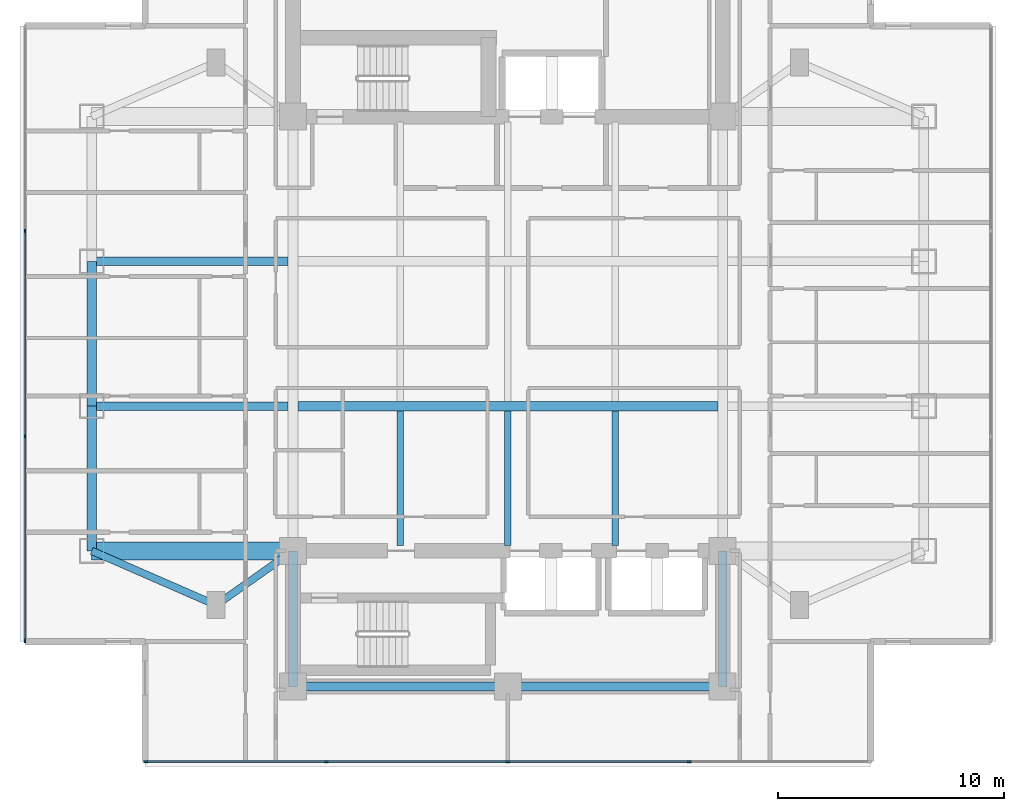
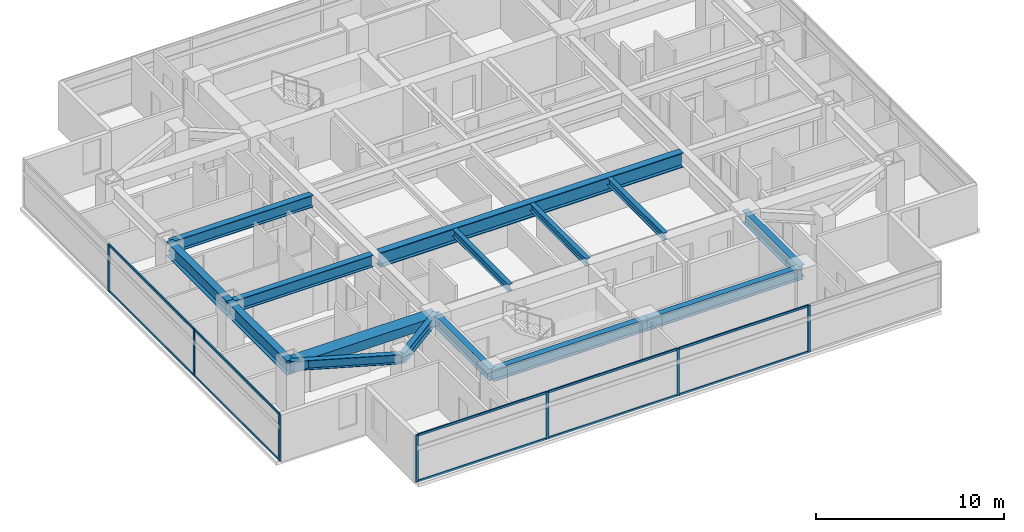
# One storey, part 2 of 24: 17 members, 15 beams, 2 elements without a shape of their own.
"""IFC4 building model written with IfcOpenShell, lengths in metres."""

from ifc_helpers import new_model, si_unit, direction, frame, origin, origin_2d, place, context, subcontext, project, spatial, rectangle, i_section, extrude, material, material_profile, profile_set, type_object, element, aggregate, save


model = new_model("IFC4")

# Units and contexts
model_context = context("Model", 3, precision=1e-05, world=origin(), true_north=direction((0.0, 1.0)))
body_context = subcontext(model_context, "Body", "Model", "MODEL_VIEW")
ifc_project = project(units=[si_unit("LENGTHUNIT", "METRE"), si_unit("AREAUNIT", "SQUARE_METRE"), si_unit("VOLUMEUNIT", "CUBIC_METRE"), si_unit("PLANEANGLEUNIT", "RADIAN"), si_unit("MASSUNIT", "GRAM", prefix="KILO")], contexts=[model_context])

# Site, building, storey
site_placement = place(None, origin())
site = spatial("IfcSite", under=ifc_project, at=site_placement, CompositionType="ELEMENT")
building_placement = place(site_placement, origin())
building = spatial("IfcBuilding", under=site, at=building_placement, Name="Mirazonda Arch Towers", CompositionType="ELEMENT")
storey_placement = place(building_placement, frame((0.0, 0.0, 101.60009765625)))
storey = spatial("IfcBuildingStorey", under=building, at=storey_placement, Name="L28", CompositionType="ELEMENT", Elevation=101.60009765625)

# Beams
ifc_material_1 = material(Name="Steel ASTM A992 Grade 50", Category="steel")
ifc_material_profile_1 = material_profile(ifc_material_1, i_section(OverallWidth=0.41796875, OverallDepth=0.927001953125, WebThickness=0.019287109375, FlangeThickness=0.031982421875, at=origin_2d()), Name="W36X231")
ifc_profile_set_1 = profile_set([ifc_material_profile_1], Name="Steel ASTM A992 Grade 50")
beam_type_1 = type_object("IfcBeamType", Name="BM-EXT-W36X231", PredefinedType="USERDEFINED", material=ifc_profile_set_1)
beam_1_placement = place(storey_placement, frame((2.10009765625, 18.39990234375, 2.616455078125), z_axis=(0.0, 1.0, 0.0), x_axis=(-1.0, 0.0, 0.0)))
element("IfcBeam", 1, at=beam_1_placement, inside=storey, type_object=beam_type_1, Name="L28 Floor Beam BM-T1-L28-NS-W-18", ObjectType="GIRDER", PredefinedType="USERDEFINED", context=body_context, shape_type="SweptSolid", body=[
    extrude(i_section(OverallWidth=0.41796875, OverallDepth=0.927001953125, WebThickness=0.019287109375, FlangeThickness=0.031982421875, at=origin_2d()), origin(), (0.0, 0.0, 1.0), 6.400146484375),
])
beam_2_placement = place(storey_placement, frame((2.10009765625, 24.800048828125, 2.616455078125), z_axis=(0.0, 1.0, 0.0), x_axis=(-1.0, 0.0, 0.0)))
element("IfcBeam", 2, at=beam_2_placement, inside=storey, type_object=beam_type_1, Name="L28 Floor Beam BM-T1-L28-NS-W-24", ObjectType="GIRDER", PredefinedType="USERDEFINED", context=body_context, shape_type="SweptSolid", body=[
    extrude(i_section(OverallWidth=0.41796875, OverallDepth=0.927001953125, WebThickness=0.019287109375, FlangeThickness=0.031982421875, at=origin_2d()), origin(), (0.0, 0.0, 1.0), 6.39990234375),
])
ifc_material_profile_2 = material_profile(ifc_material_1, i_section(OverallWidth=0.280029296875, OverallDepth=0.462890625, WebThickness=0.0107421875, FlangeThickness=0.017333984375, at=origin_2d()), Name="W18X76")
ifc_profile_set_2 = profile_set([ifc_material_profile_2], Name="Steel ASTM A992 Grade 50")
beam_type_2 = type_object("IfcBeamType", Name="BM-INT-W18X76", PredefinedType="JOIST", material=ifc_profile_set_2)
for number, where, z_axis, x_axis, name in (
    (3, (15.75, 18.639892578125, 2.848388671875), (0.0, 1.0, 0.0), (-1.0, 0.0, 0.0), "L28 Floor Beam BM-T1-L28-J-157-18"),
    (4, (20.5, 18.639892578125, 2.848388671875), (0.0, 1.0, 0.0), (-1.0, 0.0, 0.0), "L28 Floor Beam BM-T1-L28-J-205-18"),
    (5, (25.25, 18.639892578125, 2.848388671875), (0.0, 1.0, 0.0), (-1.0, 0.0, 0.0), "L28 Floor Beam BM-T1-L28-J-252-18"),
):
    element("IfcBeam", number, at=place(storey_placement, frame(where, z_axis=z_axis, x_axis=x_axis)), inside=storey, type_object=beam_type_2, Name=name, PredefinedType="JOIST", context=body_context, shape_type="SweptSolid", body=[
        extrude(i_section(OverallWidth=0.280029296875, OverallDepth=0.462890625, WebThickness=0.0107421875, FlangeThickness=0.017333984375, at=origin_2d()), origin(), (0.0, 0.0, 1.0), 5.95263671875),
    ])
ifc_material_profile_3 = material_profile(ifc_material_1, i_section(OverallWidth=0.324951171875, OverallDepth=0.615966796875, WebThickness=0.013916015625, FlangeThickness=0.021484375, at=origin_2d()), Name="W24X117")
ifc_profile_set_3 = profile_set([ifc_material_profile_3], Name="Steel ASTM A992 Grade 50")
beam_type_3 = type_object("IfcBeamType", Name="BM-INT-W24X117", PredefinedType="BEAM", material=ifc_profile_set_3)
beam_3_placement = place(storey_placement, frame((7.60009765625, 16.0, 2.77197265625), z_axis=(0.816971114901, 0.576678591087, 0.0), x_axis=(-0.576678591087, 0.816971114901, 0.0)))
element("IfcBeam", 6, at=beam_3_placement, inside=storey, type_object=beam_type_3, Name="L28 Floor Beam BM-T1-L28-PL-SW1", PredefinedType="BEAM", context=body_context, shape_type="SweptSolid", body=[
    extrude(i_section(OverallWidth=0.324951171875, OverallDepth=0.615966796875, WebThickness=0.013916015625, FlangeThickness=0.021484375, at=origin_2d()), origin(), (0.0, 0.0, 1.0), 4.16162109375),
])
beam_4_placement = place(storey_placement, frame((7.60009765625, 16.0, 2.77197265625), z_axis=(-0.916545343703, 0.399930785183, 0.0), x_axis=(-0.399930785183, -0.916545343703, 0.0)))
element("IfcBeam", 7, at=beam_4_placement, inside=storey, type_object=beam_type_3, Name="L28 Floor Beam BM-T1-L28-PL-SW2", PredefinedType="BEAM", context=body_context, shape_type="SweptSolid", body=[
    extrude(i_section(OverallWidth=0.324951171875, OverallDepth=0.615966796875, WebThickness=0.013916015625, FlangeThickness=0.021484375, at=origin_2d()), origin(), (0.0, 0.0, 1.0), 6.000732421875),
])
ifc_material_profile_4 = material_profile(ifc_material_1, i_section(OverallWidth=0.381103515625, OverallDepth=0.77294921875, WebThickness=0.0166015625, FlangeThickness=0.027099609375, at=origin_2d()), Name="W30X173")
ifc_profile_set_4 = profile_set([ifc_material_profile_4], Name="Steel ASTM A992 Grade 50")
beam_type_4 = type_object("IfcBeamType", Name="BM-INT-W30X173", PredefinedType="USERDEFINED", material=ifc_profile_set_4)
for number, where, z_axis, x_axis, name in (
    (8, (2.10009765625, 24.800048828125, 2.693359375), (1.0, 0.0, 0.0), (0.0, 1.0, 0.0), "L28 Floor Beam BM-T1-L28-GW2"),
    (9, (2.10009765625, 31.199951171875, 2.693359375), (1.0, 0.0, 0.0), (0.0, 1.0, 0.0), "L28 Floor Beam BM-T1-L28-GW3"),
):
    element("IfcBeam", number, at=place(storey_placement, frame(where, z_axis=z_axis, x_axis=x_axis)), inside=storey, type_object=beam_type_4, Name=name, ObjectType="GIRDER", PredefinedType="USERDEFINED", context=body_context, shape_type="SweptSolid", body=[
        extrude(i_section(OverallWidth=0.381103515625, OverallDepth=0.77294921875, WebThickness=0.0166015625, FlangeThickness=0.027099609375, at=origin_2d()), origin(), (0.0, 0.0, 1.0), 8.6884765625),
    ])
for number, where, z_axis, x_axis, name in (
    (10, (11.0, 12.39990234375, 2.693359375), (1.0, 0.0, 0.0), (0.0, 1.0, 0.0), "L28 Floor Beam BM-T1-L28-CS1"),
    (11, (20.5, 12.39990234375, 2.693359375), (1.0, 0.0, 0.0), (0.0, 1.0, 0.0), "L28 Floor Beam BM-T1-L28-CS2"),
):
    element("IfcBeam", number, at=place(storey_placement, frame(where, z_axis=z_axis, x_axis=x_axis)), inside=storey, type_object=beam_type_4, Name=name, ObjectType="GIRDER", PredefinedType="USERDEFINED", context=body_context, shape_type="SweptSolid", body=[
        extrude(i_section(OverallWidth=0.381103515625, OverallDepth=0.77294921875, WebThickness=0.0166015625, FlangeThickness=0.027099609375, at=origin_2d()), origin(), (0.0, 0.0, 1.0), 9.5),
    ])
for number, where, z_axis, x_axis, name in (
    (12, (11.0, 12.39990234375, 2.693359375), (0.0, 1.0, 0.0), (-1.0, 0.0, 0.0), "L28 Floor Beam BM-T1-L28-CSW"),
    (13, (30.0, 12.39990234375, 2.693359375), (0.0, 1.0, 0.0), (-1.0, 0.0, 0.0), "L28 Floor Beam BM-T1-L28-CSE"),
):
    element("IfcBeam", number, at=place(storey_placement, frame(where, z_axis=z_axis, x_axis=x_axis)), inside=storey, type_object=beam_type_4, Name=name, ObjectType="GIRDER", PredefinedType="USERDEFINED", context=body_context, shape_type="SweptSolid", body=[
        extrude(i_section(OverallWidth=0.381103515625, OverallDepth=0.77294921875, WebThickness=0.0166015625, FlangeThickness=0.027099609375, at=origin_2d()), origin(), (0.0, 0.0, 1.0), 6.0),
    ])
ifc_material_profile_5 = material_profile(ifc_material_1, i_section(OverallWidth=0.423095703125, OverallDepth=0.947998046875, WebThickness=0.02392578125, FlangeThickness=0.042724609375, at=origin_2d()), Name="W36X302")
ifc_profile_set_5 = profile_set([ifc_material_profile_5], Name="Steel ASTM A992 Grade 50")
beam_type_5 = type_object("IfcBeamType", Name="BM-INT-W36X302", PredefinedType="USERDEFINED", material=ifc_profile_set_5)
beam_5_placement = place(storey_placement, frame((11.21142578125, 24.800048828125, 2.60595703125), z_axis=(1.0, 0.0, 0.0), x_axis=(0.0, 1.0, 0.0)))
element("IfcBeam", 14, at=beam_5_placement, inside=storey, type_object=beam_type_5, Name="L28 Floor Beam BM-T1-L28-GC2", ObjectType="GIRDER", PredefinedType="USERDEFINED", context=body_context, shape_type="SweptSolid", body=[
    extrude(i_section(OverallWidth=0.423095703125, OverallDepth=0.947998046875, WebThickness=0.02392578125, FlangeThickness=0.042724609375, at=origin_2d()), origin(), (0.0, 0.0, 1.0), 18.5771484375),
])
ifc_material_2 = material(Name="Concrete C60/75", Category="concrete")
ifc_material_profile_6 = material_profile(ifc_material_2, rectangle(XDim=0.800048828125, YDim=0.60009765625, at=origin_2d()), Name="RCCB800x600")
ifc_profile_set_6 = profile_set([ifc_material_profile_6], Name="Concrete C60/75")
beam_type_6 = type_object("IfcBeamType", Name="CB-INT-RCCB800x600", PredefinedType="SPANDREL", material=ifc_profile_set_6)
beam_6_placement = place(storey_placement, frame((2.10009765625, 18.39990234375, 2.77978515625), z_axis=(1.0, 0.0, 0.0), x_axis=(0.0, 1.0, 0.0)))
element("IfcBeam", 15, at=beam_6_placement, inside=storey, type_object=beam_type_6, Name="L28 Floor Beam CBC-T1-L28-SW", PredefinedType="SPANDREL", context=body_context, shape_type="SweptSolid", body=[
    extrude(rectangle(XDim=0.800048828125, YDim=0.60009765625, at=origin_2d()), origin(), (0.0, 0.0, 1.0), 8.89990234375),
])

# Curtain wall, members
ifc_material_3 = material(Name="Anodised Aluminium and Low-E Glass", Category="aluminium")
curtain_wall_type = type_object("IfcCurtainWallType", Name="CW-HTL-UNIT", PredefinedType="NOTDEFINED", material=ifc_material_3)
curtain_wall_1_placement = place(storey_placement, origin())
curtain_wall_1 = element("IfcCurtainWall", 16, at=curtain_wall_1_placement, inside=storey, type_object=curtain_wall_type, Name="L28 T1 S Facade CW-L28-T1-S", PredefinedType="NOTDEFINED")
ifc_material_4 = material(Name="Anodised Aluminium Alloy", Category="aluminium")
ifc_material_profile_7 = material_profile(ifc_material_4, rectangle(XDim=0.074951171875, YDim=0.1650390625, at=origin_2d()), Name="ALU-MULL-75x165")
ifc_profile_set_7 = profile_set([ifc_material_profile_7], Name="Anodised Aluminium Alloy")
member_type_1 = type_object("IfcMemberType", Name="MULL-CW-HTL-UNIT", PredefinedType="MULLION", material=ifc_profile_set_7)
member_1_placement = place(storey_placement, frame((28.5224609375, 9.077880859375, 0.0), z_axis=(0.0, 0.0, 1.0), x_axis=(0.0, -1.0, 0.0)))
member_1 = element("IfcMember", 17, at=member_1_placement, type_object=member_type_1, Name="CW-112 mullion 2", PredefinedType="MULLION", context=body_context, shape_type="SweptSolid", body=[
    extrude(rectangle(XDim=0.074951171875, YDim=0.1650390625, at=origin_2d()), origin(), (0.0, 0.0, 1.0), 3.059814453125),
])
member_2_placement = place(storey_placement, frame((20.5, 9.077880859375, 0.0), z_axis=(0.0, 0.0, 1.0), x_axis=(0.0, -1.0, 0.0)))
member_2 = element("IfcMember", 18, at=member_2_placement, type_object=member_type_1, Name="CW-112 mullion 3", PredefinedType="MULLION", context=body_context, shape_type="SweptSolid", body=[
    extrude(rectangle(XDim=0.074951171875, YDim=0.1650390625, at=origin_2d()), origin(), (0.0, 0.0, 1.0), 3.059814453125),
])
member_3_placement = place(storey_placement, frame((12.4775390625, 9.077880859375, 0.0), z_axis=(0.0, 0.0, 1.0), x_axis=(0.0, -1.0, 0.0)))
member_3 = element("IfcMember", 19, at=member_3_placement, type_object=member_type_1, Name="CW-112 mullion 4", PredefinedType="MULLION", context=body_context, shape_type="SweptSolid", body=[
    extrude(rectangle(XDim=0.074951171875, YDim=0.1650390625, at=origin_2d()), origin(), (0.0, 0.0, 1.0), 3.059814453125),
])
member_4_placement = place(storey_placement, frame((4.492431640625, 9.077880859375, 0.0), z_axis=(0.0, 0.0, 1.0), x_axis=(0.0, -1.0, 0.0)))
member_4 = element("IfcMember", 20, at=member_4_placement, type_object=member_type_1, Name="CW-112 mullion 5", PredefinedType="MULLION", context=body_context, shape_type="SweptSolid", body=[
    extrude(rectangle(XDim=0.074951171875, YDim=0.1650390625, at=origin_2d()), origin(), (0.0, 0.0, 1.0), 3.059814453125),
])

curtain_wall_2_placement = place(storey_placement, origin())
curtain_wall_2 = element("IfcCurtainWall", 21, at=curtain_wall_2_placement, inside=storey, type_object=curtain_wall_type, Name="L28 T1 W Facade CW-L28-T1-W", PredefinedType="NOTDEFINED")
member_5_placement = place(storey_placement, frame((-0.85009765625, 32.5390625, 0.0), z_axis=(0.0, 0.0, 1.0), x_axis=(1.0, 0.0, 0.0)))
member_5 = element("IfcMember", 22, at=member_5_placement, type_object=member_type_1, Name="CW-112 mullion 2", PredefinedType="MULLION", context=body_context, shape_type="SweptSolid", body=[
    extrude(rectangle(XDim=0.074951171875, YDim=0.1650390625, at=origin_2d()), origin(), (0.0, 0.0, 1.0), 3.059814453125),
])
member_6_placement = place(storey_placement, frame((-0.85009765625, 23.4609375, 0.0), z_axis=(0.0, 0.0, 1.0), x_axis=(1.0, 0.0, 0.0)))
member_6 = element("IfcMember", 23, at=member_6_placement, type_object=member_type_1, Name="CW-112 mullion 3", PredefinedType="MULLION", context=body_context, shape_type="SweptSolid", body=[
    extrude(rectangle(XDim=0.074951171875, YDim=0.1650390625, at=origin_2d()), origin(), (0.0, 0.0, 1.0), 3.059814453125),
])
member_7_placement = place(storey_placement, frame((-0.85009765625, 14.42041015625, 0.0), z_axis=(0.0, 0.0, 1.0), x_axis=(1.0, 0.0, 0.0)))
member_7 = element("IfcMember", 24, at=member_7_placement, type_object=member_type_1, Name="CW-112 mullion 4", PredefinedType="MULLION", context=body_context, shape_type="SweptSolid", body=[
    extrude(rectangle(XDim=0.074951171875, YDim=0.1650390625, at=origin_2d()), origin(), (0.0, 0.0, 1.0), 3.059814453125),
])

# Member
ifc_material_profile_8 = material_profile(ifc_material_4, rectangle(XDim=0.074951171875, YDim=0.14501953125, at=origin_2d()), Name="ALU-TRAN-75x145")
ifc_profile_set_8 = profile_set([ifc_material_profile_8], Name="Anodised Aluminium Alloy")
member_type_2 = type_object("IfcMemberType", Name="TRAN-CW-HTL-UNIT", PredefinedType="USERDEFINED", material=ifc_profile_set_8)
member_8_placement = place(storey_placement, frame((28.485107421875, 9.077880859375, 0.037353515625), z_axis=(-1.0, 0.0, 0.0), x_axis=(0.0, -1.0, 0.0)))
member_8 = element("IfcMember", 25, at=member_8_placement, type_object=member_type_2, Name="CW-112 transom 2.1", ObjectType="TRANSOM", PredefinedType="USERDEFINED", context=body_context, shape_type="SweptSolid", body=[
    extrude(rectangle(XDim=0.074951171875, YDim=0.14501953125, at=origin_2d()), origin(), (0.0, 0.0, 1.0), 7.947509765625),
])

member_9_placement = place(storey_placement, frame((28.485107421875, 9.077880859375, 3.0224609375), z_axis=(-1.0, 0.0, 0.0), x_axis=(0.0, -1.0, 0.0)))
member_9 = element("IfcMember", 26, at=member_9_placement, type_object=member_type_2, Name="CW-112 transom 2.2", ObjectType="TRANSOM", PredefinedType="USERDEFINED", context=body_context, shape_type="SweptSolid", body=[
    extrude(rectangle(XDim=0.074951171875, YDim=0.14501953125, at=origin_2d()), origin(), (0.0, 0.0, 1.0), 7.947509765625),
])

member_10_placement = place(storey_placement, frame((20.46240234375, 9.077880859375, 0.037353515625), z_axis=(-1.0, 0.0, 0.0), x_axis=(0.0, -1.0, 0.0)))
member_10 = element("IfcMember", 27, at=member_10_placement, type_object=member_type_2, Name="CW-112 transom 3.1", ObjectType="TRANSOM", PredefinedType="USERDEFINED", context=body_context, shape_type="SweptSolid", body=[
    extrude(rectangle(XDim=0.074951171875, YDim=0.14501953125, at=origin_2d()), origin(), (0.0, 0.0, 1.0), 7.947509765625),
])

member_11_placement = place(storey_placement, frame((20.46240234375, 9.077880859375, 3.0224609375), z_axis=(-1.0, 0.0, 0.0), x_axis=(0.0, -1.0, 0.0)))
member_11 = element("IfcMember", 28, at=member_11_placement, type_object=member_type_2, Name="CW-112 transom 3.2", ObjectType="TRANSOM", PredefinedType="USERDEFINED", context=body_context, shape_type="SweptSolid", body=[
    extrude(rectangle(XDim=0.074951171875, YDim=0.14501953125, at=origin_2d()), origin(), (0.0, 0.0, 1.0), 7.947509765625),
])

member_12_placement = place(storey_placement, frame((12.43994140625, 9.077880859375, 0.037353515625), z_axis=(-1.0, 0.0, 0.0), x_axis=(0.0, -1.0, 0.0)))
member_12 = element("IfcMember", 29, at=member_12_placement, type_object=member_type_2, Name="CW-112 transom 4.1", ObjectType="TRANSOM", PredefinedType="USERDEFINED", context=body_context, shape_type="SweptSolid", body=[
    extrude(rectangle(XDim=0.074951171875, YDim=0.14501953125, at=origin_2d()), origin(), (0.0, 0.0, 1.0), 7.909912109375),
])

member_13_placement = place(storey_placement, frame((12.43994140625, 9.077880859375, 3.0224609375), z_axis=(-1.0, 0.0, 0.0), x_axis=(0.0, -1.0, 0.0)))
member_13 = element("IfcMember", 30, at=member_13_placement, type_object=member_type_2, Name="CW-112 transom 4.2", ObjectType="TRANSOM", PredefinedType="USERDEFINED", context=body_context, shape_type="SweptSolid", body=[
    extrude(rectangle(XDim=0.074951171875, YDim=0.14501953125, at=origin_2d()), origin(), (0.0, 0.0, 1.0), 7.909912109375),
])

aggregate(curtain_wall_1, [member_1, member_2, member_3, member_4, member_8, member_9, member_10, member_11, member_12, member_13])

member_14_placement = place(storey_placement, frame((-0.85009765625, 32.50146484375, 0.037353515625), z_axis=(0.0, -1.0, 0.0), x_axis=(1.0, 0.0, 0.0)))
member_14 = element("IfcMember", 31, at=member_14_placement, type_object=member_type_2, Name="CW-112 transom 2.1", ObjectType="TRANSOM", PredefinedType="USERDEFINED", context=body_context, shape_type="SweptSolid", body=[
    extrude(rectangle(XDim=0.074951171875, YDim=0.14501953125, at=origin_2d()), origin(), (0.0, 0.0, 1.0), 9.0029296875),
])

member_15_placement = place(storey_placement, frame((-0.85009765625, 32.50146484375, 3.0224609375), z_axis=(0.0, -1.0, 0.0), x_axis=(1.0, 0.0, 0.0)))
member_15 = element("IfcMember", 32, at=member_15_placement, type_object=member_type_2, Name="CW-112 transom 2.2", ObjectType="TRANSOM", PredefinedType="USERDEFINED", context=body_context, shape_type="SweptSolid", body=[
    extrude(rectangle(XDim=0.074951171875, YDim=0.14501953125, at=origin_2d()), origin(), (0.0, 0.0, 1.0), 9.0029296875),
])

member_16_placement = place(storey_placement, frame((-0.85009765625, 23.423583984375, 0.037353515625), z_axis=(0.0, -1.0, 0.0), x_axis=(1.0, 0.0, 0.0)))
member_16 = element("IfcMember", 33, at=member_16_placement, type_object=member_type_2, Name="CW-112 transom 3.1", ObjectType="TRANSOM", PredefinedType="USERDEFINED", context=body_context, shape_type="SweptSolid", body=[
    extrude(rectangle(XDim=0.074951171875, YDim=0.14501953125, at=origin_2d()), origin(), (0.0, 0.0, 1.0), 8.965576171875),
])

member_17_placement = place(storey_placement, frame((-0.85009765625, 23.423583984375, 3.0224609375), z_axis=(0.0, -1.0, 0.0), x_axis=(1.0, 0.0, 0.0)))
member_17 = element("IfcMember", 34, at=member_17_placement, type_object=member_type_2, Name="CW-112 transom 3.2", ObjectType="TRANSOM", PredefinedType="USERDEFINED", context=body_context, shape_type="SweptSolid", body=[
    extrude(rectangle(XDim=0.074951171875, YDim=0.14501953125, at=origin_2d()), origin(), (0.0, 0.0, 1.0), 8.965576171875),
])

aggregate(curtain_wall_2, [member_5, member_6, member_7, member_14, member_15, member_16, member_17])

save(model, "model.ifc")
